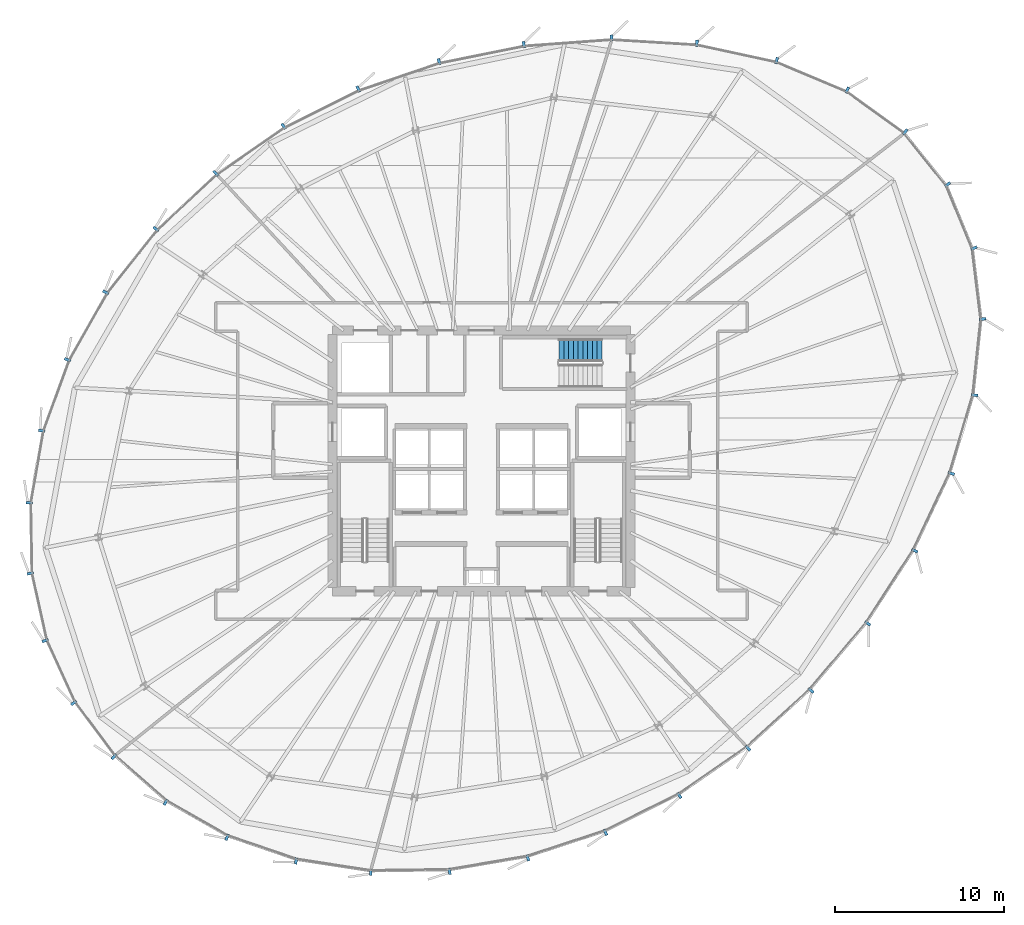
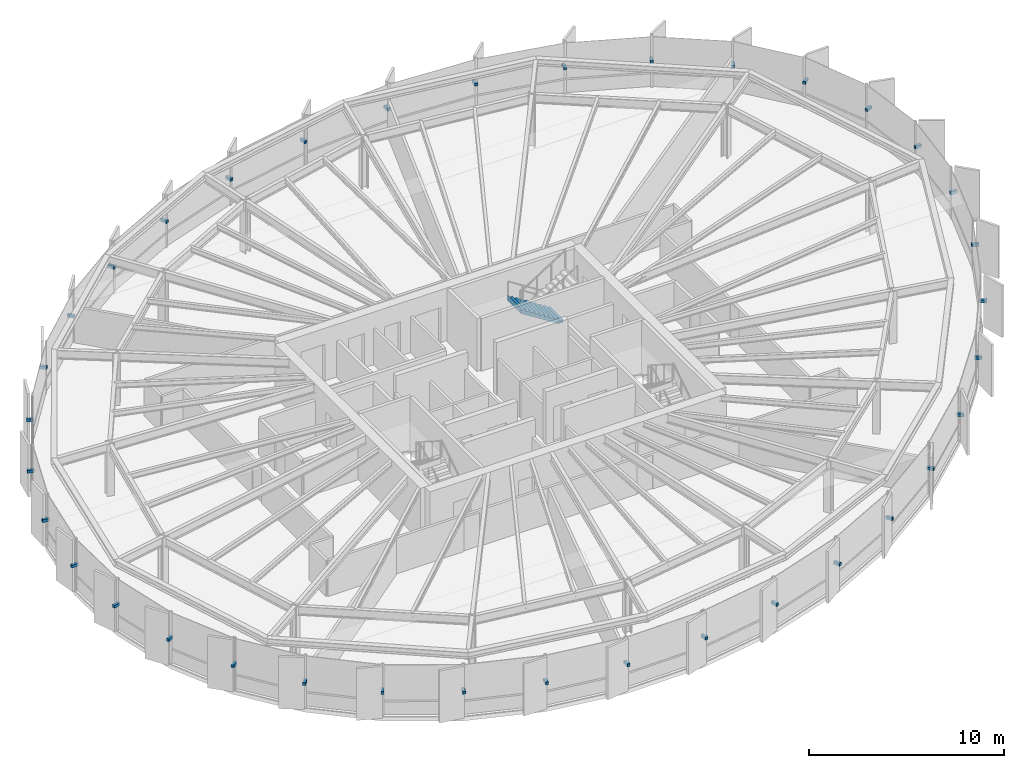
# One storey, part 28 of 32: 36 discrete accessories, 1 stair flight, 1 element without a shape of its own.
"""IFC4 building model written with IfcOpenShell, lengths in metres."""

from ifc_helpers import new_model, si_unit, direction, frame, origin, origin_2d, place, context, subcontext, project, spatial, polyline, rectangle, outline, extrude, source, transform, mapped, material, type_object, element, aggregate, save


model = new_model("IFC4")

# Units and contexts
model_context = context("Model", 3, precision=1e-05, world=origin(), true_north=direction((0.0, 1.0)))
body_context = subcontext(model_context, "Body", "Model", "MODEL_VIEW")
ifc_project = project(units=[si_unit("LENGTHUNIT", "METRE"), si_unit("AREAUNIT", "SQUARE_METRE"), si_unit("VOLUMEUNIT", "CUBIC_METRE"), si_unit("PLANEANGLEUNIT", "RADIAN"), si_unit("MASSUNIT", "GRAM", prefix="KILO"), si_unit("THERMODYNAMICTEMPERATUREUNIT", "KELVIN")], contexts=[model_context])

# Site, building, storey
site_placement = place(None, origin())
site = spatial("IfcSite", under=ifc_project, at=site_placement, CompositionType="ELEMENT")
building_placement = place(site_placement, origin())
building = spatial("IfcBuilding", under=site, at=building_placement, Name="Kethvar Cultural Tower", CompositionType="ELEMENT")
storey_placement = place(building_placement, frame((0.0, 0.0, 157.199951171875)))
storey = spatial("IfcBuildingStorey", under=building, at=storey_placement, Name="L40", CompositionType="ELEMENT", Elevation=157.199951171875)

# Stair, stair flight
ifc_material_1 = material(Name="Concrete C40/50", Category="concrete")
stair_type = type_object("IfcStairType", Name="ST-DOGLEG-135", PredefinedType="HALF_TURN_STAIR", material=ifc_material_1)
stair_placement = place(storey_placement, origin())
stair = element("IfcStair", 1, at=stair_placement, inside=storey, type_object=stair_type, Name="L40 Core Exit Stair 3", PredefinedType="HALF_TURN_STAIR")
stair_flight_type = type_object("IfcStairFlightType", Name="FL-STRAIGHT-135", PredefinedType="STRAIGHT", material=ifc_material_1)
stair_flight_placement = place(storey_placement, frame((53.89990234375, 34.3349609375, 0.0), z_axis=(0.0, 0.0, 1.0), x_axis=(-1.0, 0.0, 0.0)))
stair_flight = element("IfcStairFlight", 2, at=stair_flight_placement, type_object=stair_flight_type, Name="ST-03 flight 1", NumberOfRisers=10, NumberOfTreads=9, PredefinedType="STRAIGHT", RiserHeight=0.1775, TreadLength=0.28, context=body_context, shape_type="SweptSolid", body=[
    extrude(outline(polyline([(-0.0009765625, -0.0009765625), (-0.0009765625, 0.177490234375), (0.280029296875, 0.177490234375), (0.280029296875, 0.35498046875), (0.56005859375, 0.35498046875), (0.56005859375, 0.532470703125), (0.840087890625, 0.532470703125), (0.840087890625, 0.7099609375), (1.1201171875, 0.7099609375), (1.1201171875, 0.887451171875), (1.39990234375, 0.887451171875), (1.39990234375, 1.06494140625), (1.679931640625, 1.06494140625), (1.679931640625, 1.242431640625), (1.9599609375, 1.242431640625), (1.9599609375, 1.419921875), (2.239990234375, 1.419921875), (2.239990234375, 1.597412109375), (2.52001953125, 1.597412109375), (2.52001953125, 1.77490234375), (2.52099609375, 1.77490234375), (2.52099609375, 1.419921875), (0.280029296875, 0.0), (0.0, -0.0009765625), (-0.0009765625, -0.0009765625)])), frame((0.0, 0.675048828125, 0.0), z_axis=(0.0, -1.0, 0.0), x_axis=(1.0, 0.0, 0.0)), (0.0, 0.0, 1.0), 1.35009765625),
])
aggregate(stair, [stair_flight])

# Discrete accessories
ifc_material_2 = material(Name="Steel S355J2", Category="steel")
discrete_accessory_type = type_object("IfcDiscreteAccessoryType", Name="Steel Fin Bracket BRK-01", PredefinedType="BRACKET", material=ifc_material_2)
shared_shape = source(origin(), body_context, "Body", "SweptSolid", [
    extrude(rectangle(XDim=0.3798828125, YDim=0.159912109375, at=origin_2d()), origin(), (0.0, 0.0, 1.0), 0.179931640625),
])
for number, where, z_axis, x_axis, name in (
    (3, (74.31689453125, 44.1201171875, 1.56005859375), (0.0, 0.0, 1.0), (0.779119191464, 0.626875813454, 0.0), "L40 Terracotta Fin Bracket 1.1"),
    (4, (71.816162109375, 47.22802734375, 1.56005859375), (0.0, 0.0, 1.0), (0.584816108738, 0.81116590101, 0.0), "L40 Terracotta Fin Bracket 1.2"),
    (5, (68.394287109375, 49.694580078125, 1.56005859375), (0.0, 0.0, 1.0), (0.387193771905, 0.92199836388, 0.0), "L40 Terracotta Fin Bracket 1.3"),
    (6, (64.228515625, 51.44384765625, 1.56005859375), (0.0, 0.0, 1.0), (0.211665966084, 0.97734206847, 0.0), "L40 Terracotta Fin Bracket 1.4"),
    (7, (59.51611328125, 52.464111328125, 1.56005859375), (0.0, 0.0, 1.0), (0.06087433122, 0.9981454382, 0.0), "L40 Terracotta Fin Bracket 1.5"),
    (8, (54.47802734375, 52.77099609375, 1.56005859375), (0.0, 0.0, 1.0), (-0.072715994473, 0.997352687943, 0.0), "L40 Terracotta Fin Bracket 1.6"),
    (9, (49.299072265625, 52.388916015625, 1.56005859375), (0.0, 0.0, 1.0), (-0.197828426963, 0.980236661978, 0.0), "L40 Terracotta Fin Bracket 2.1"),
    (10, (44.296630859375, 51.37939453125, 1.56005859375), (0.0, 0.0, 1.0), (-0.321604730892, 0.946874013303, 0.0), "L40 Terracotta Fin Bracket 2.2"),
    (11, (39.52001953125, 49.757568359375, 1.56005859375), (0.0, 0.0, 1.0), (-0.446822486371, 0.894622638699, 0.0), "L40 Terracotta Fin Bracket 2.3"),
    (12, (35.11474609375, 47.557373046875, 1.56005859375), (0.0, 0.0, 1.0), (-0.569279523431, 0.822144041031, 0.0), "L40 Terracotta Fin Bracket 2.4"),
    (13, (31.10791015625, 44.7822265625, 1.56005859375), (0.0, 0.0, 1.0), (-0.681870704375, 0.731472721648, 0.0), "L40 Terracotta Fin Bracket 2.5"),
    (14, (27.577392578125, 41.491455078125, 1.56005859375), (0.0, 0.0, 1.0), (-0.78282540777, 0.622241416936, 0.0), "L40 Terracotta Fin Bracket 2.6"),
    (15, (24.612060546875, 37.75048828125, 1.56005859375), (0.0, 0.0, 1.0), (-0.87001170737, 0.493031062956, 0.0), "L40 Terracotta Fin Bracket 3.1"),
    (16, (22.3583984375, 33.774169921875, 1.56005859375), (0.0, 0.0, 1.0), (-0.939333942951, 0.343003999424, 0.0), "L40 Terracotta Fin Bracket 3.2"),
    (17, (20.828125, 29.58203125, 1.56005859375), (0.0, 0.0, 1.0), (-0.985109326155, 0.171929100279, 0.0), "L40 Terracotta Fin Bracket 3.3"),
    (18, (20.087158203125, 25.3359375, 1.56005859375), (0.0, 0.0, 1.0), (-0.999856696158, -0.01692888504, 0.0), "L40 Terracotta Fin Bracket 3.4"),
    (19, (20.15771484375, 21.164306640625, 1.56005859375), (0.0, 0.0, 1.0), (-0.97629600712, -0.216439613938, 0.0), "L40 Terracotta Fin Bracket 3.5"),
    (20, (21.0380859375, 17.1943359375, 1.56005859375), (0.0, 0.0, 1.0), (-0.909888879393, -0.414852054542, 0.0), "L40 Terracotta Fin Bracket 3.6"),
    (21, (22.724609375, 13.515625, 1.56005859375), (0.0, 0.0, 1.0), (-0.801879937297, -0.597485201625, 0.0), "L40 Terracotta Fin Bracket 4.1"),
    (22, (25.0966796875, 10.332275390625, 1.56005859375), (0.0, 0.0, 1.0), (-0.660001667961, -0.751264133504, 0.0), "L40 Terracotta Fin Bracket 4.2"),
    (23, (28.151611328125, 7.648681640625, 1.56005859375), (0.0, 0.0, 1.0), (-0.496519531995, -0.868025549363, 0.0), "L40 Terracotta Fin Bracket 4.3"),
    (24, (31.773193359375, 5.57763671875, 1.56005859375), (0.0, 0.0, 1.0), (-0.323917418198, -0.946085358828, 0.0), "L40 Terracotta Fin Bracket 4.4"),
    (25, (35.851318359375, 4.181640625, 1.56005859375), (0.0, 0.0, 1.0), (-0.151950882248, -0.988388045954, 0.0), "L40 Terracotta Fin Bracket 4.5"),
    (26, (40.261962890625, 3.50341796875, 1.56005859375), (0.0, 0.0, 1.0), (0.0129150774, -0.99991659691, 0.0), "L40 Terracotta Fin Bracket 4.6"),
    (27, (44.909423828125, 3.570068359375, 1.56005859375), (0.0, 0.0, 1.0), (0.168145293887, -0.985762222924, 0.0), "L40 Terracotta Fin Bracket 5.1"),
    (28, (49.538818359375, 4.359619140625, 1.56005859375), (0.0, 0.0, 1.0), (0.312500715155, -0.949917524329, 0.0), "L40 Terracotta Fin Bracket 5.2"),
    (29, (54.123291015625, 5.8681640625, 1.56005859375), (0.0, 0.0, 1.0), (0.44619781311, -0.894934361602, 0.0), "L40 Terracotta Fin Bracket 5.3"),
    (30, (58.485107421875, 8.042724609375, 1.56005859375), (0.0, 0.0, 1.0), (0.56870541993, -0.822541272729, 0.0), "L40 Terracotta Fin Bracket 5.4"),
    (31, (62.535400390625, 10.84326171875, 1.56005859375), (0.0, 0.0, 1.0), (0.674817762301, -0.737984408834, 0.0), "L40 Terracotta Fin Bracket 5.5"),
    (32, (66.2578125, 14.247802734375, 1.56005859375), (0.0, 0.0, 1.0), (0.763683363384, -0.645590985448, 0.0), "L40 Terracotta Fin Bracket 5.6"),
    (33, (69.598388671875, 18.207763671875, 1.56005859375), (0.0, 0.0, 1.0), (0.838955625301, -0.544199833495, 0.0), "L40 Terracotta Fin Bracket 6.1"),
    (34, (72.3818359375, 22.49951171875, 1.56005859375), (0.0, 0.0, 1.0), (0.904007947873, -0.427515649049, 0.0), "L40 Terracotta Fin Bracket 6.2"),
    (35, (74.5400390625, 27.0625, 1.56005859375), (0.0, 0.0, 1.0), (0.958422240132, -0.285353832322, 0.0), "L40 Terracotta Fin Bracket 6.3"),
    (36, (75.916015625, 31.68408203125, 1.56005859375), (0.0, 0.0, 1.0), (0.994485347462, -0.104875610524, 0.0), "L40 Terracotta Fin Bracket 6.4"),
    (37, (76.389404296875, 36.177490234375, 1.56005859375), (0.0, 0.0, 1.0), (0.992567406737, 0.121696109567, 0.0), "L40 Terracotta Fin Bracket 6.5"),
    (38, (75.8759765625, 40.364990234375, 1.56005859375), (0.0, 0.0, 1.0), (0.924678995938, 0.380747625693, 0.0), "L40 Terracotta Fin Bracket 6.6"),
):
    element("IfcDiscreteAccessory", number, at=place(storey_placement, frame(where, z_axis=z_axis, x_axis=x_axis)), inside=storey, type_object=discrete_accessory_type, Name=name, PredefinedType="BRACKET", context=body_context, shape_type="MappedRepresentation", body=[
        mapped(shared_shape, transform((0.0, 0.0, 0.0), scale=1.0)),
    ])

save(model, "model.ifc")
